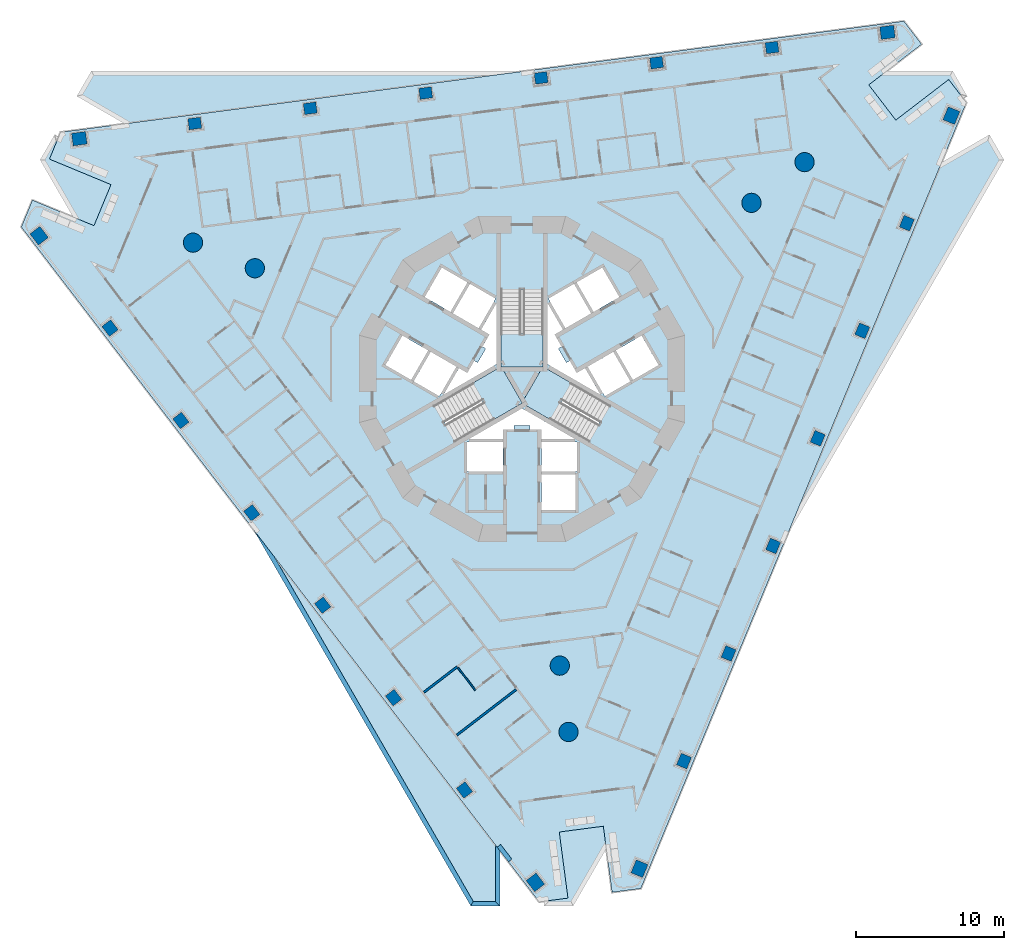
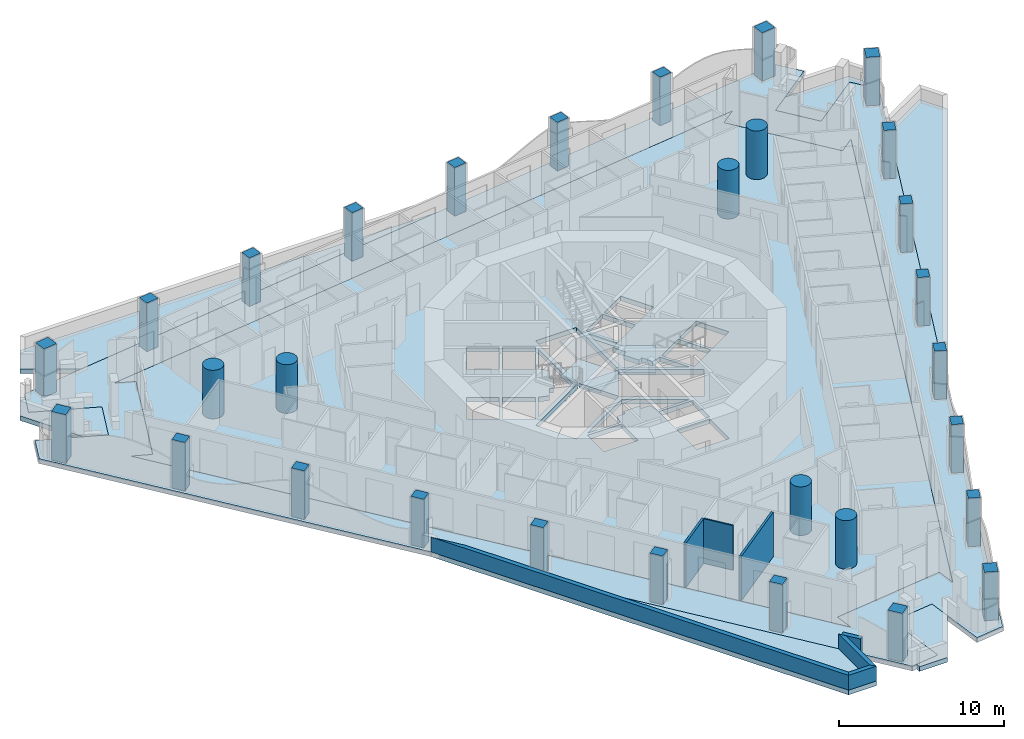
# One storey, part 1 of 20: 30 columns, 12 slabs, 7 walls, 3 elements without a shape of their own.
"""IFC4 building model written with IfcOpenShell, lengths in metres."""

from ifc_helpers import new_model, si_unit, direction, frame, frame_2d, origin, origin_2d, place, context, subcontext, project, spatial, polyline, rectangle, circle, outline, extrude, material, layer, layer_set, material_profile, profile_set, type_object, element, aggregate, save


model = new_model("IFC4")

# Units and contexts
model_context = context("Model", 3, precision=1e-05, world=origin(), true_north=direction((0.0, 1.0)))
body_context = subcontext(model_context, "Body", "Model", "MODEL_VIEW")
ifc_project = project(units=[si_unit("LENGTHUNIT", "METRE"), si_unit("AREAUNIT", "SQUARE_METRE"), si_unit("VOLUMEUNIT", "CUBIC_METRE"), si_unit("PLANEANGLEUNIT", "RADIAN"), si_unit("MASSUNIT", "GRAM", prefix="KILO")], contexts=[model_context])

# Site, building, storey
site_placement = place(None, origin())
site = spatial("IfcSite", under=ifc_project, at=site_placement, CompositionType="ELEMENT")
building_placement = place(site_placement, origin())
building = spatial("IfcBuilding", under=site, at=building_placement, Name="Trine Commons Tower", CompositionType="ELEMENT")
storey_placement = place(building_placement, frame((0.0, 0.0, 50.39990234375)))
storey = spatial("IfcBuildingStorey", under=building, at=storey_placement, Name="L11", CompositionType="ELEMENT", Elevation=50.39990234375)

# Columns
ifc_material_1 = material(Name="Concrete C80/95", Category="concrete")
ifc_material_profile_1 = material_profile(ifc_material_1, rectangle(XDim=0.85009765625, YDim=0.75, at=origin_2d()), Name="RC 850x750")
ifc_profile_set_1 = profile_set([ifc_material_profile_1], Name="Concrete C80/95")
column_type_1 = type_object("IfcColumnType", Name="RC column 850x750, C80/95", PredefinedType="COLUMN", material=ifc_profile_set_1)
for number, where, z_axis, x_axis, name in (
    (1, (76.1142578125, 34.74853515625, -0.349853515625), (0.0, 0.0, 1.0), (-0.608761429009, 0.793353340291, 0.0), "Column PC2-02 L11"),
    (2, (71.3291015625, 40.984619140625, -0.349853515625), (0.0, 0.0, 1.0), (-0.608761429009, 0.793353340291, 0.0), "Column PC2-03 L11"),
    (3, (66.5439453125, 47.220703125, -0.349853515625), (0.0, 0.0, 1.0), (-0.608761429009, 0.793353340291, 0.0), "Column PC2-04 L11"),
    (4, (61.7587890625, 53.45703125, -0.349853515625), (0.0, 0.0, 1.0), (-0.608761429009, 0.793353340291, 0.0), "Column PC2-05 L11"),
    (5, (56.9736328125, 59.693115234375, -0.349853515625), (0.0, 0.0, 1.0), (-0.608761429009, 0.793353340291, 0.0), "Column PC2-06 L11"),
    (6, (52.1884765625, 65.92919921875, -0.349853515625), (0.0, 0.0, 1.0), (-0.608761429009, 0.793353340291, 0.0), "Column PC2-07 L11"),
    (7, (57.9091796875, 79.740966796875, -0.349853515625), (0.0, 0.0, 1.0), (0.991444861374, 0.13052619222, 0.0), "Column PC2-10 L11"),
    (8, (65.70263671875, 80.766845703125, -0.349853515625), (0.0, 0.0, 1.0), (0.991444861374, 0.13052619222, 0.0), "Column PC2-11 L11"),
    (9, (73.495849609375, 81.79296875, -0.349853515625), (0.0, 0.0, 1.0), (0.991444861374, 0.13052619222, 0.0), "Column PC2-12 L11"),
    (10, (81.2890625, 82.81884765625, -0.349853515625), (0.0, 0.0, 1.0), (0.991444861374, 0.13052619222, 0.0), "Column PC2-13 L11"),
    (11, (89.08251953125, 83.844970703125, -0.349853515625), (0.0, 0.0, 1.0), (0.991444861374, 0.13052619222, 0.0), "Column PC2-14 L11"),
    (12, (96.875732421875, 84.870849609375, -0.349853515625), (0.0, 0.0, 1.0), (0.991444861374, 0.13052619222, 0.0), "Column PC2-15 L11"),
    (13, (105.976318359375, 73.010498046875, -0.349853515625), (0.0, 0.0, 1.0), (0.382683432365, 0.923879532511, 0.0), "Column PC2-18 L11"),
    (14, (102.96826171875, 65.74853515625, -0.349853515625), (0.0, 0.0, 1.0), (0.382683432365, 0.923879532511, 0.0), "Column PC2-19 L11"),
    (15, (99.960205078125, 58.486328125, -0.349853515625), (0.0, 0.0, 1.0), (0.382683432365, 0.923879532511, 0.0), "Column PC2-20 L11"),
    (16, (96.9521484375, 51.22412109375, -0.349853515625), (0.0, 0.0, 1.0), (0.382683432365, 0.923879532511, 0.0), "Column PC2-21 L11"),
    (17, (93.944091796875, 43.9619140625, -0.349853515625), (0.0, 0.0, 1.0), (0.382683432365, 0.923879532511, 0.0), "Column PC2-22 L11"),
    (18, (90.935791015625, 36.69970703125, -0.349853515625), (0.0, 0.0, 1.0), (0.382683432365, 0.923879532511, 0.0), "Column PC2-23 L11"),
):
    element("IfcColumn", number, at=place(storey_placement, frame(where, z_axis=z_axis, x_axis=x_axis)), inside=storey, type_object=column_type_1, Name=name, PredefinedType="COLUMN", context=body_context, shape_type="SweptSolid", body=[
        extrude(rectangle(XDim=0.85009765625, YDim=0.75, at=origin_2d()), origin(), (0.0, 0.0, 1.0), 3.949951171875),
    ])
ifc_material_profile_2 = material_profile(ifc_material_1, rectangle(XDim=0.949951171875, YDim=0.85009765625, at=origin_2d()), Name="RC 950x850")
ifc_profile_set_2 = profile_set([ifc_material_profile_2], Name="Concrete C80/95")
column_type_2 = type_object("IfcColumnType", Name="RC column 950x850, C80/95", PredefinedType="COLUMN", material=ifc_profile_set_2)
for number, where, z_axis, x_axis, name in (
    (19, (80.8994140625, 28.51220703125, -0.349853515625), (0.0, 0.0, 1.0), (-0.608761429009, 0.793353340291, 0.0), "Column PC2-01 L11"),
    (20, (47.4033203125, 72.16552734375, -0.349853515625), (0.0, 0.0, 1.0), (-0.608761429009, 0.793353340291, 0.0), "Column PC2-08 L11"),
    (21, (50.1162109375, 78.71484375, -0.349853515625), (0.0, 0.0, 1.0), (0.991444861374, 0.13052619222, 0.0), "Column PC2-09 L11"),
    (22, (104.6689453125, 85.89697265625, -0.349853515625), (0.0, 0.0, 1.0), (0.991444861374, 0.13052619222, 0.0), "Column PC2-16 L11"),
    (23, (108.984375, 80.272705078125, -0.349853515625), (0.0, 0.0, 1.0), (0.382683432365, 0.923879532511, 0.0), "Column PC2-17 L11"),
    (24, (87.927734375, 29.4375, -0.349853515625), (0.0, 0.0, 1.0), (0.382683432365, 0.923879532511, 0.0), "Column PC2-24 L11"),
):
    element("IfcColumn", number, at=place(storey_placement, frame(where, z_axis=z_axis, x_axis=x_axis)), inside=storey, type_object=column_type_2, Name=name, PredefinedType="COLUMN", context=body_context, shape_type="SweptSolid", body=[
        extrude(rectangle(XDim=0.949951171875, YDim=0.85009765625, at=origin_2d()), origin(), (0.0, 0.0, 1.0), 3.949951171875),
    ])
ifc_material_profile_3 = material_profile(ifc_material_1, circle(Radius=0.64990234375, at=origin_2d()), Name="RC round 1300")
ifc_profile_set_3 = profile_set([ifc_material_profile_3], Name="Concrete C80/95")
column_type_3 = type_object("IfcColumnType", Name="RC round column 1300 mm, C80/95", PredefinedType="COLUMN", material=ifc_profile_set_3)
for number, where, z_axis, x_axis, name in (
    (25, (82.548095703125, 43.14453125, -0.349853515625), (0.0, 0.0, 1.0), (1.0, 0.0, 0.0), "Column WC2-1 L11"),
    (26, (83.1376953125, 38.6669921875, -0.349853515625), (0.0, 0.0, 1.0), (1.0, 0.0, 0.0), "Column WC2-2 L11"),
    (27, (95.48828125, 74.384521484375, -0.349853515625), (0.0, 0.0, 1.0), (1.0, 0.0, 0.0), "Column WC2-3 L11"),
    (28, (99.071044921875, 77.1337890625, -0.349853515625), (0.0, 0.0, 1.0), (1.0, 0.0, 0.0), "Column WC2-4 L11"),
    (29, (61.963623046875, 69.970947265625, -0.349853515625), (0.0, 0.0, 1.0), (1.0, 0.0, 0.0), "Column WC2-5 L11"),
    (30, (57.791259765625, 71.69921875, -0.349853515625), (0.0, 0.0, 1.0), (1.0, 0.0, 0.0), "Column WC2-6 L11"),
):
    element("IfcColumn", number, at=place(storey_placement, frame(where, z_axis=z_axis, x_axis=x_axis)), inside=storey, type_object=column_type_3, Name=name, PredefinedType="COLUMN", context=body_context, shape_type="SweptSolid", body=[
        extrude(circle(Radius=0.64990234375, at=origin_2d()), origin(), (0.0, 0.0, 1.0), 3.949951171875),
    ])

# Slabs
ifc_material_2 = material(Name="Concrete C50/60", Category="concrete")
ifc_layer_1 = layer(ifc_material_2, 0.35009765625)
ifc_layer_set_1 = layer_set([ifc_layer_1], Name="Concrete C50/60")
slab_type_1 = type_object("IfcSlabType", Name="Loggia slab 350 mm, C50/60", PredefinedType="FLOOR", material=ifc_layer_set_1)
slab_1_placement = place(storey_placement, frame((0.0, 0.0, -0.349853515625)))
element("IfcSlab", 31, at=slab_1_placement, inside=storey, type_object=slab_type_1, Name="Loggia slab L11", PredefinedType="FLOOR", context=body_context, shape_type="SweptSolid", body=[
    extrude(outline(polyline([(88.02294921875, 28.099365234375), (109.998046875, 81.15185546875), (108.80224609375, 82.710205078125), (105.232177734375, 79.970703125), (103.406005859375, 82.3505859375), (106.97607421875, 85.090087890625), (105.780517578125, 86.6484375), (48.847900390625, 79.153076171875), (48.096435546875, 77.33837890625), (52.25390625, 75.616455078125), (51.105712890625, 72.8447265625), (46.948486328125, 74.56689453125), (46.19677734375, 72.752197265625), (81.154052734375, 27.195068359375), (83.101318359375, 27.451416015625), (82.513916015625, 31.912841796875), (85.48828125, 32.304443359375), (86.07568359375, 27.843017578125), (88.02294921875, 28.099365234375)]), holes=[polyline([(79.99658203125, 32.6455078125), (79.8212890625, 33.97900390625), (87.554443359375, 34.997314453125), (87.72998046875, 33.663818359375), (105.856201171875, 77.42431640625), (104.789306640625, 76.605712890625), (100.041015625, 82.793701171875), (101.10791015625, 83.612548828125), (54.14697265625, 77.429931640625), (55.3896484375, 76.915283203125), (52.40478515625, 69.708984375), (51.162109375, 70.2236328125), (79.99658203125, 32.6455078125)])]), origin(), (0.0, 0.0, 1.0), 0.349853515625),
])
ifc_layer_2 = layer(ifc_material_2, 0.35009765625)
ifc_layer_set_2 = layer_set([ifc_layer_2], Name="Concrete C50/60")
slab_type_2 = type_object("IfcSlabType", Name="PT flat slab 350 mm, C50/60", PredefinedType="FLOOR", material=ifc_layer_set_2)
slab_2_placement = place(storey_placement, frame((0.0, 0.0, -0.349853515625)))
element("IfcSlab", 32, at=slab_2_placement, inside=storey, type_object=slab_type_2, Name="Floor slab L11", PredefinedType="FLOOR", context=body_context, shape_type="SweptSolid", body=[
    extrude(outline(polyline([(51.162109375, 70.2236328125), (79.99658203125, 32.6455078125), (79.8212890625, 33.97900390625), (87.554443359375, 34.997314453125), (87.72998046875, 33.663818359375), (105.856201171875, 77.42431640625), (104.789306640625, 76.605712890625), (100.041015625, 82.793701171875), (101.10791015625, 83.612548828125), (54.14697265625, 77.429931640625), (55.3896484375, 76.915283203125), (52.40478515625, 69.708984375), (51.162109375, 70.2236328125)]), holes=[polyline([(76.300048828125, 56.25), (78.699951171875, 56.25), (78.699951171875, 58.25), (76.300048828125, 58.25), (76.300048828125, 56.25)]), polyline([(81.14990234375, 59.10009765625), (81.300048828125, 58.449951171875), (83.56494140625, 58.449951171875), (80.0, 60.508056640625), (76.43505859375, 58.449951171875), (78.699951171875, 58.449951171875), (78.85009765625, 59.10009765625), (79.449951171875, 59.10009765625), (79.449951171875, 59.360107421875), (80.550048828125, 59.360107421875), (80.550048828125, 59.10009765625), (81.14990234375, 59.10009765625)]), polyline([(80.0, 60.8544921875), (84.4755859375, 58.2705078125), (85.900390625, 60.73876953125), (81.425048828125, 63.32275390625), (81.425048828125, 68.490478515625), (78.574951171875, 68.490478515625), (78.574951171875, 63.32275390625), (74.099609375, 60.73876953125), (75.5244140625, 58.2705078125), (80.0, 60.8544921875)]), polyline([(73.83740234375, 64.325927734375), (72.687255859375, 62.333984375), (74.41943359375, 61.333984375), (75.5693359375, 63.325927734375), (73.83740234375, 64.325927734375)]), polyline([(71.93212890625, 65.426025390625), (70.781982421875, 63.43408203125), (72.51416015625, 62.43408203125), (73.6640625, 64.426025390625), (71.93212890625, 65.426025390625)]), polyline([(76.781005859375, 63.722900390625), (76.381103515625, 63.031005859375), (75.742919921875, 63.22607421875), (74.7099609375, 61.43798828125), (78.27490234375, 63.49609375), (78.27490234375, 67.612060546875), (77.242919921875, 65.823974609375), (77.73095703125, 65.368896484375), (77.3310546875, 64.676025390625), (77.555908203125, 64.5458984375), (77.006103515625, 63.593994140625), (76.781005859375, 63.722900390625)]), polyline([(76.4873046875, 68.916015625), (75.33740234375, 66.924072265625), (77.0693359375, 65.924072265625), (78.219482421875, 67.916015625), (76.4873046875, 68.916015625)]), polyline([(74.58203125, 70.015869140625), (73.43212890625, 68.02392578125), (75.1640625, 67.02392578125), (76.314208984375, 69.015869140625), (74.58203125, 70.015869140625)]), polyline([(81.300048828125, 53.64990234375), (83.60009765625, 53.64990234375), (83.60009765625, 56.050048828125), (81.300048828125, 56.050048828125), (81.300048828125, 53.64990234375)]), polyline([(81.300048828125, 56.25), (83.699951171875, 56.25), (83.699951171875, 58.25), (81.300048828125, 58.25), (81.300048828125, 56.25)]), polyline([(87.312744140625, 62.333984375), (86.16259765625, 64.325927734375), (84.4306640625, 63.325927734375), (85.58056640625, 61.333984375), (87.312744140625, 62.333984375)]), polyline([(89.218017578125, 63.43408203125), (88.06787109375, 65.426025390625), (86.3359375, 64.426025390625), (87.48583984375, 62.43408203125), (89.218017578125, 63.43408203125)]), polyline([(83.243896484375, 63.738037109375), (82.993896484375, 63.593994140625), (82.444091796875, 64.5458984375), (82.72705078125, 64.7099609375), (82.281005859375, 65.549072265625), (82.757080078125, 65.823974609375), (81.72509765625, 67.612060546875), (81.72509765625, 63.49609375), (85.2900390625, 61.43798828125), (84.257080078125, 63.22607421875), (83.618896484375, 63.031005859375), (83.243896484375, 63.738037109375)]), polyline([(82.9306640625, 65.924072265625), (84.66259765625, 66.924072265625), (83.5126953125, 68.916015625), (81.780517578125, 67.916015625), (82.9306640625, 65.924072265625)]), polyline([(84.8359375, 67.02392578125), (86.56787109375, 68.02392578125), (85.41796875, 70.015869140625), (83.685791015625, 69.015869140625), (84.8359375, 67.02392578125)])]), origin(), (0.0, 0.0, 1.0), 0.349853515625),
])
slab_3_placement = place(storey_placement, frame((0.0, 0.0, -0.349853515625)))
element("IfcSlab", 33, at=slab_3_placement, inside=storey, type_object=slab_type_2, Name="Floor slab L11 2", PredefinedType="FLOOR", context=body_context, shape_type="SweptSolid", body=[
    extrude(outline(polyline([(78.61328125, 63.300537109375), (80.0, 60.89892578125), (81.38671875, 63.300537109375), (78.61328125, 63.300537109375)])), origin(), (0.0, 0.0, 1.0), 0.349853515625),
])
ifc_layer_3 = layer(ifc_material_2, 0.35009765625)
ifc_layer_set_3 = layer_set([ifc_layer_3], Name="Concrete C50/60")
slab_type_3 = type_object("IfcSlabType", Name="Roof slab 350 mm, C50/60", PredefinedType="ROOF", material=ifc_layer_set_3)
slab_4_placement = place(storey_placement, frame((0.0, 0.0, -0.349853515625)))
element("IfcSlab", 34, at=slab_4_placement, inside=storey, type_object=slab_type_3, Name="Roof slab L11 1", PredefinedType="ROOF", context=body_context, shape_type="SweptSolid", body=[
    extrude(outline(polyline([(49.6884765625, 73.431884765625), (51.105712890625, 72.8447265625), (52.25390625, 75.616455078125), (48.096435546875, 77.33837890625), (48.714599609375, 78.830810546875), (48.4462890625, 78.985595703125), (47.464111328125, 77.28466796875), (49.6884765625, 73.431884765625)])), origin(), (0.0, 0.0, 1.0), 0.349853515625),
])
slab_5_placement = place(storey_placement, frame((0.0, 0.0, -0.349853515625)))
element("IfcSlab", 35, at=slab_5_placement, inside=storey, type_object=slab_type_3, Name="Roof slab L11 2", PredefinedType="ROOF", context=body_context, shape_type="SweptSolid", body=[
    extrude(outline(polyline([(53.17041015625, 79.72216796875), (80.22998046875, 83.28466796875), (50.92822265625, 83.28466796875), (49.9462890625, 81.58349609375), (53.17041015625, 79.72216796875)])), origin(), (0.0, 0.0, 1.0), 0.349853515625),
])
slab_6_placement = place(storey_placement, frame((0.0, 0.0, -0.349853515625)))
element("IfcSlab", 36, at=slab_6_placement, inside=storey, type_object=slab_type_3, Name="Roof slab L11 3", PredefinedType="ROOF", context=body_context, shape_type="SweptSolid", body=[
    extrude(outline(polyline([(78.5, 30.65380859375), (61.885009765625, 52.306884765625), (76.535888671875, 26.930908203125), (78.5, 26.930908203125), (78.5, 30.65380859375)])), origin(), (0.0, 0.0, 1.0), 0.349853515625),
])
slab_7_placement = place(storey_placement, frame((0.0, 0.0, -0.349853515625)))
element("IfcSlab", 37, at=slab_7_placement, inside=storey, type_object=slab_type_3, Name="Roof slab L11 4", PredefinedType="ROOF", context=body_context, shape_type="SweptSolid", body=[
    extrude(outline(polyline([(83.464111328125, 26.930908203125), (85.6884765625, 30.783447265625), (85.48828125, 32.304443359375), (82.513916015625, 31.912841796875), (83.101318359375, 27.451416015625), (81.5, 27.240478515625), (81.5, 26.930908203125), (83.464111328125, 26.930908203125)])), origin(), (0.0, 0.0, 1.0), 0.349853515625),
])
slab_8_placement = place(storey_placement, frame((0.0, 0.0, -0.349853515625)))
element("IfcSlab", 38, at=slab_8_placement, inside=storey, type_object=slab_type_3, Name="Roof slab L11 5", PredefinedType="ROOF", context=body_context, shape_type="SweptSolid", body=[
    extrude(outline(polyline([(104.623046875, 83.28466796875), (103.406005859375, 82.3505859375), (105.232177734375, 79.970703125), (108.80224609375, 82.710205078125), (109.785400390625, 81.4287109375), (110.0537109375, 81.58349609375), (109.07177734375, 83.28466796875), (104.623046875, 83.28466796875)])), origin(), (0.0, 0.0, 1.0), 0.349853515625),
])
slab_9_placement = place(storey_placement, frame((0.0, 0.0, -0.349853515625)))
element("IfcSlab", 39, at=slab_9_placement, inside=storey, type_object=slab_type_3, Name="Roof slab L11 6", PredefinedType="ROOF", context=body_context, shape_type="SweptSolid", body=[
    extrude(outline(polyline([(108.32958984375, 77.1240234375), (97.885009765625, 51.908447265625), (112.535888671875, 77.28466796875), (111.5537109375, 78.985595703125), (108.32958984375, 77.1240234375)])), origin(), (0.0, 0.0, 1.0), 0.349853515625),
])

# Stair, slab
stair_type = type_object("IfcStairType", Name="Exit stair, dog-leg, 24 risers of 150 mm", PredefinedType="HALF_TURN_STAIR", material=ifc_material_2)
stair_1_placement = place(storey_placement, origin())
stair_1 = element("IfcStair", 40, at=stair_1_placement, inside=storey, type_object=stair_type, Name="L11 Exit stair ST1A", PredefinedType="HALF_TURN_STAIR")
ifc_layer_4 = layer(ifc_material_2, 0.199951171875)
ifc_layer_set_4 = layer_set([ifc_layer_4], Name="Concrete C50/60")
slab_type_4 = type_object("IfcSlabType", Name="Stair landing slab 200 mm, C50/60", PredefinedType="LANDING", material=ifc_layer_set_4)
slab_10_placement = place(storey_placement, frame((0.0, 0.0, 1.60009765625)))
slab_10 = element("IfcSlab", 41, at=slab_10_placement, type_object=slab_type_4, Name="ST1A landing 1", PredefinedType="LANDING", context=body_context, shape_type="SweptSolid", body=[
    extrude(outline(polyline([(78.574951171875, 65.570556640625), (78.574951171875, 63.300537109375), (81.425048828125, 63.300537109375), (81.425048828125, 65.570556640625), (78.574951171875, 65.570556640625)])), origin(), (0.0, 0.0, 1.0), 0.199951171875),
])
aggregate(stair_1, [slab_10])

stair_2_placement = place(storey_placement, origin())
stair_2 = element("IfcStair", 42, at=stair_2_placement, inside=storey, type_object=stair_type, Name="L11 Exit stair ST2A", PredefinedType="HALF_TURN_STAIR")
slab_11_placement = place(storey_placement, frame((0.0, 0.0, 1.60009765625)))
slab_11 = element("IfcSlab", 43, at=slab_11_placement, type_object=slab_type_4, Name="ST2A landing 1", PredefinedType="LANDING", context=body_context, shape_type="SweptSolid", body=[
    extrude(outline(polyline([(78.05322265625, 59.730712890625), (80.019287109375, 60.86572265625), (78.59423828125, 63.333740234375), (76.628173828125, 62.19873046875), (78.05322265625, 59.730712890625)])), origin(), (0.0, 0.0, 1.0), 0.199951171875),
])
aggregate(stair_2, [slab_11])

stair_3_placement = place(storey_placement, origin())
stair_3 = element("IfcStair", 44, at=stair_3_placement, inside=storey, type_object=stair_type, Name="L11 Exit stair ST3A", PredefinedType="HALF_TURN_STAIR")
slab_12_placement = place(storey_placement, frame((0.0, 0.0, 1.60009765625)))
slab_12 = element("IfcSlab", 45, at=slab_12_placement, type_object=slab_type_4, Name="ST3A landing 1", PredefinedType="LANDING", context=body_context, shape_type="SweptSolid", body=[
    extrude(outline(polyline([(83.371826171875, 62.19873046875), (81.40576171875, 63.333740234375), (79.980712890625, 60.86572265625), (81.94677734375, 59.730712890625), (83.371826171875, 62.19873046875)])), origin(), (0.0, 0.0, 1.0), 0.199951171875),
])
aggregate(stair_3, [slab_12])

# Walls
ifc_material_3 = material(Name="Limestone, honed", Category="masonry")
ifc_layer_5 = layer(ifc_material_3, 0.300048828125)
ifc_layer_set_5 = layer_set([ifc_layer_5], Name="Limestone, honed")
wall_type_1 = type_object("IfcWallType", Name="Stone parapet 300", PredefinedType="PARAPET", material=ifc_layer_set_5)
wall_1_placement = place(storey_placement, origin())
element("IfcWall", 46, at=wall_1_placement, inside=storey, type_object=wall_type_1, Name="Sliver roof parapet L10 3.1", PredefinedType="PARAPET", context=body_context, shape_type="SweptSolid", body=[
    extrude(outline(polyline([(61.885009765625, 52.306884765625), (76.535888671875, 26.930908203125), (76.708984375, 27.230712890625), (63.2841796875, 50.4833984375), (61.885009765625, 52.306884765625)])), origin(), (0.0, 0.0, 1.0), 1.10009765625),
])
wall_2_placement = place(storey_placement, origin())
element("IfcWall", 47, at=wall_2_placement, inside=storey, type_object=wall_type_1, Name="Sliver roof parapet L10 3.2", PredefinedType="PARAPET", context=body_context, shape_type="SweptSolid", body=[
    extrude(outline(polyline([(76.535888671875, 26.930908203125), (78.5, 26.930908203125), (78.199951171875, 27.230712890625), (76.708984375, 27.230712890625), (76.535888671875, 26.930908203125)])), origin(), (0.0, 0.0, 1.0), 1.10009765625),
])
wall_3_placement = place(storey_placement, origin())
element("IfcWall", 48, at=wall_3_placement, inside=storey, type_object=wall_type_1, Name="Sliver roof parapet L10 3.3", PredefinedType="PARAPET", context=body_context, shape_type="SweptSolid", body=[
    extrude(outline(polyline([(78.5, 26.930908203125), (78.5, 30.65380859375), (78.199951171875, 31.044921875), (78.199951171875, 27.230712890625), (78.5, 26.930908203125)])), origin(), (0.0, 0.0, 1.0), 1.10009765625),
])
wall_4_placement = place(storey_placement, origin())
element("IfcWall", 49, at=wall_4_placement, inside=storey, type_object=wall_type_1, Name="Sliver roof parapet extension L10 3.X2", PredefinedType="PARAPET", context=body_context, shape_type="SweptSolid", body=[
    extrude(outline(polyline([(79.078369140625, 29.900146484375), (79.31640625, 30.082763671875), (78.555419921875, 31.074462890625), (78.3173828125, 30.891845703125), (78.9375, 30.083740234375), (79.078369140625, 29.900146484375)])), origin(), (0.0, 0.0, 1.0), 1.10009765625),
])
ifc_material_4 = material(Name="Gypsum plasterboard on steel stud", Category="steel")
ifc_layer_6 = layer(ifc_material_4, 0.14990234375)
ifc_layer_set_6 = layer_set([ifc_layer_6], Name="Gypsum plasterboard on steel stud")
wall_type_2 = type_object("IfcWallType", Name="Unit and corridor wall 150 mm, EI 60", PredefinedType="PARTITIONING", material=ifc_layer_set_6)
wall_5_placement = place(storey_placement, frame((73.373779296875, 41.34228515625, 0.0), z_axis=(0.0, 0.0, 1.0), x_axis=(0.793546848587, 0.608509161063, 0.0)))
element("IfcWall", 50, at=wall_5_placement, inside=storey, type_object=wall_type_2, Name="Partition 064", PredefinedType="PARTITIONING", context=body_context, shape_type="SweptSolid", body=[
    extrude(rectangle(XDim=2.83935546875, YDim=0.14990234375, at=frame_2d((1.419677734375, 0.0))), origin(), (0.0, 0.0, 1.0), 3.300048828125),
])
wall_6_placement = place(storey_placement, frame((75.5927734375, 38.451416015625, 0.0), z_axis=(0.0, 0.0, 1.0), x_axis=(0.793302827183, 0.608827253318, 0.0)))
element("IfcWall", 51, at=wall_6_placement, inside=storey, type_object=wall_type_2, Name="Partition 070", PredefinedType="PARTITIONING", context=body_context, shape_type="SweptSolid", body=[
    extrude(rectangle(XDim=5.0634765625, YDim=0.14990234375, at=frame_2d((2.53173828125, 0.0))), origin(), (0.0, 0.0, 1.0), 3.300048828125),
])
ifc_layer_7 = layer(ifc_material_4, 0.10009765625)
ifc_layer_set_7 = layer_set([ifc_layer_7], Name="Gypsum plasterboard on steel stud")
wall_type_3 = type_object("IfcWallType", Name="Unit partition 100 mm, no rating", PredefinedType="PARTITIONING", material=ifc_layer_set_7)
wall_7_placement = place(storey_placement, frame((75.672607421875, 43.010498046875, 0.0), z_axis=(0.0, 0.0, 1.0), x_axis=(0.608790940556, -0.793330694412, 0.0)))
element("IfcWall", 52, at=wall_7_placement, inside=storey, type_object=wall_type_3, Name="Partition 071", PredefinedType="PARTITIONING", context=body_context, shape_type="SweptSolid", body=[
    extrude(rectangle(XDim=1.9248046875, YDim=0.10009765625, at=frame_2d((0.96240234375, 0.0))), origin(), (0.0, 0.0, 1.0), 3.300048828125),
])

save(model, "model.ifc")
